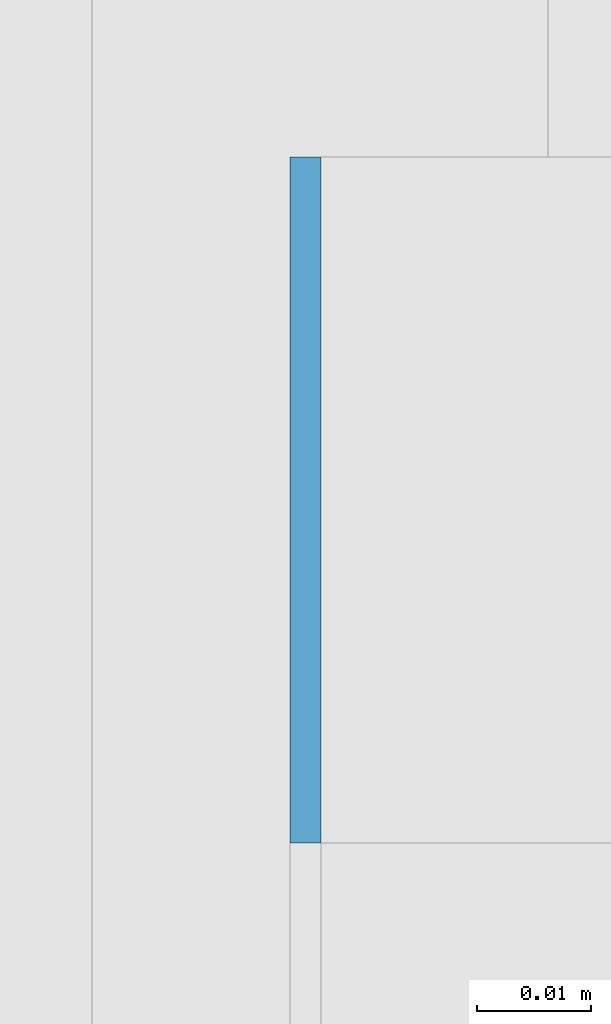
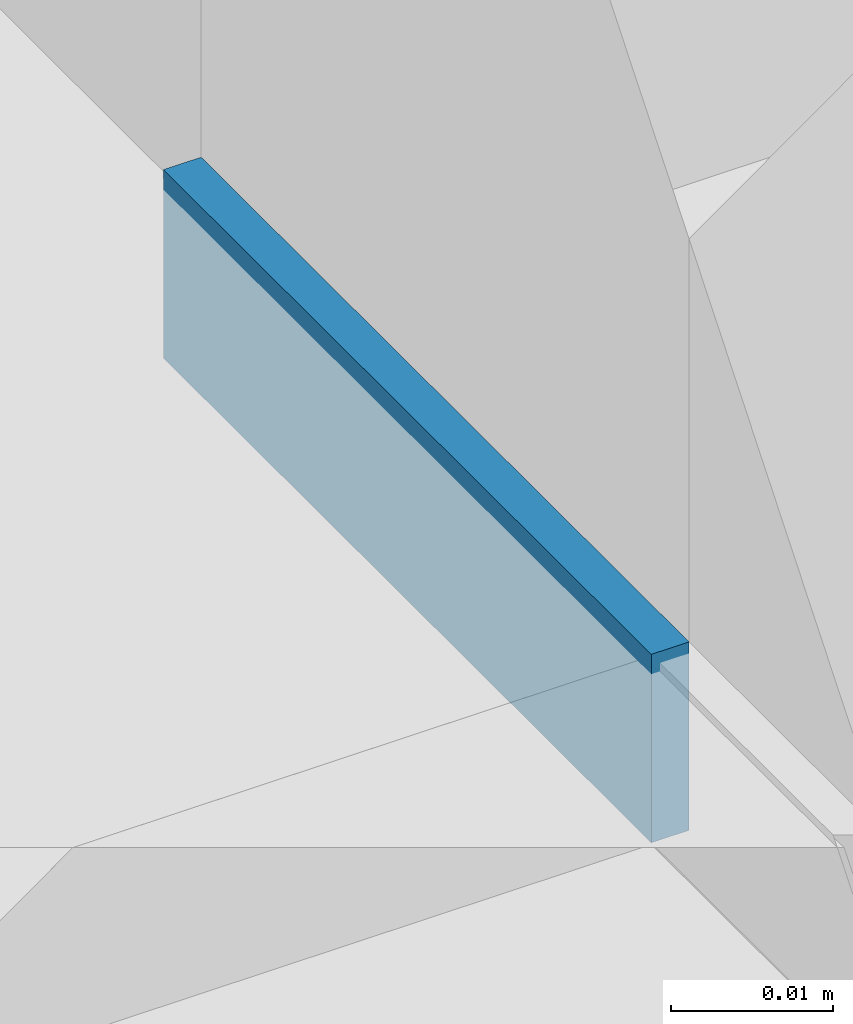
# One storey, part 558 of 646: 1 discrete accessory.
"""IFC4 building model written with IfcOpenShell, lengths in metres."""

from ifc_helpers import new_model, si_unit, direction, frame, origin, origin_2d, place, context, subcontext, project, spatial, rectangle, extrude, material, type_object, element, save


model = new_model("IFC4")

# Units and contexts
model_context = context("Model", 3, precision=1e-05, world=origin(), true_north=direction((0.0, 1.0)))
body_context = subcontext(model_context, "Body", "Model", "MODEL_VIEW")
ifc_project = project(units=[si_unit("LENGTHUNIT", "METRE"), si_unit("AREAUNIT", "SQUARE_METRE"), si_unit("VOLUMEUNIT", "CUBIC_METRE"), si_unit("PLANEANGLEUNIT", "RADIAN"), si_unit("MASSUNIT", "GRAM", prefix="KILO")], contexts=[model_context])

# Site, building, storey
site_placement = place(None, origin())
site = spatial("IfcSite", under=ifc_project, at=site_placement, CompositionType="ELEMENT")
building_placement = place(site_placement, origin())
building = spatial("IfcBuilding", under=site, at=building_placement, Name="Silverbay Arena", CompositionType="ELEMENT")
storey_placement = place(building_placement, frame((0.0, 0.0, 33.5)))
storey = spatial("IfcBuildingStorey", under=building, at=storey_placement, Name="L05", CompositionType="ELEMENT", Elevation=33.5)

# Discrete accessory
ifc_material = material(Name="Steel S355", Category="steel")
discrete_accessory_type = type_object("IfcDiscreteAccessoryType", Name="Steel bracket plate", PredefinedType="BRACKET", material=ifc_material)
discrete_accessory_placement = place(storey_placement, frame((207.128662109375, 99.030029296875, 4.0), z_axis=(0.0, 0.0, 1.0), x_axis=(1.0, 0.0, 0.0)))
element("IfcDiscreteAccessory", 1, at=discrete_accessory_placement, inside=storey, type_object=discrete_accessory_type, Name="Curtain wall packing plate", PredefinedType="BRACKET", context=body_context, shape_type="SweptSolid", body=[
    extrude(rectangle(XDim=0.002685546875, YDim=0.06005859375, at=origin_2d()), origin(), (0.0, 0.0, 1.0), 0.01416015625),
])

save(model, "model.ifc")
